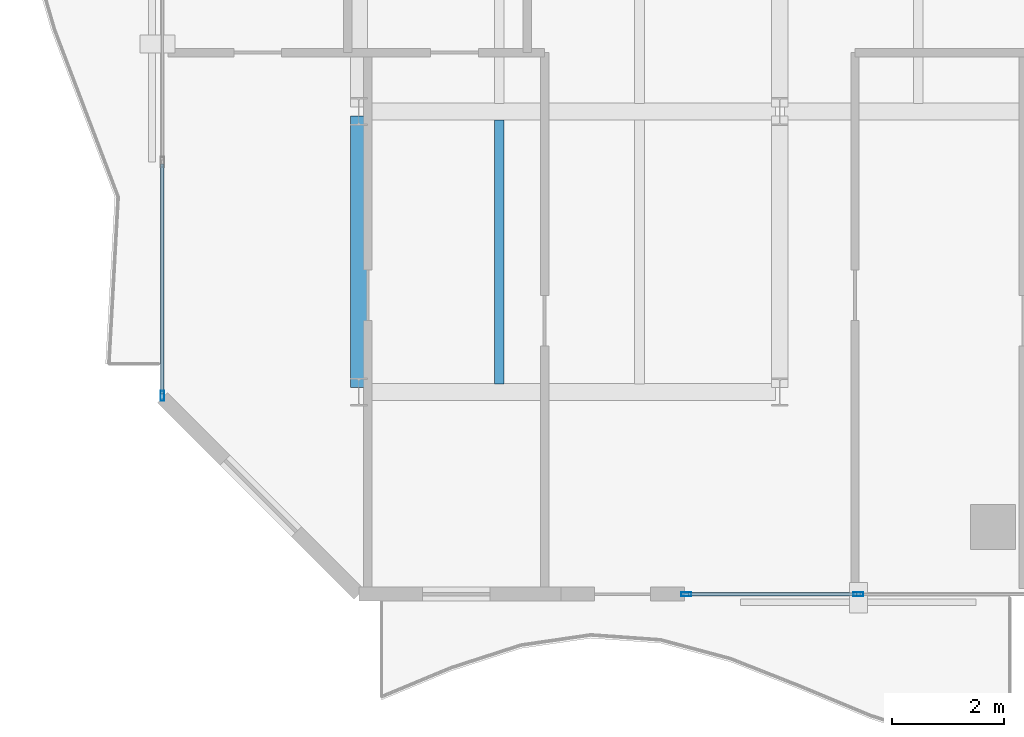
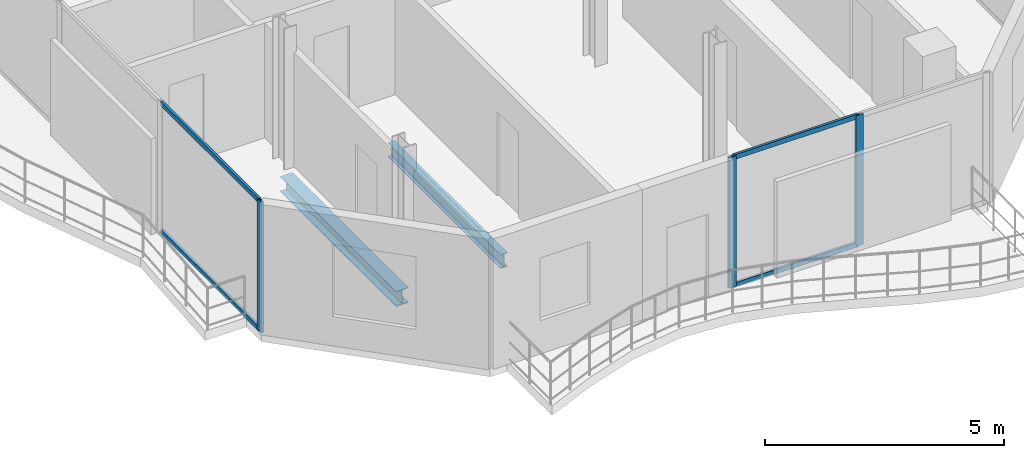
# One storey, part 3 of 24: 7 members, 2 beams, 2 elements without a shape of their own.
"""IFC4 building model written with IfcOpenShell, lengths in metres."""

import ifcopenshell
import ifcopenshell.guid

model = None  # the IFC model being written
_history = None  # IfcOwnerHistory: only IFC2X3 demands one
_inside = {}  # id of a spatial element -> (the spatial element, [elements in it])
_under = {}  # id of a project, library or spatial element -> (it, [spatial elements below it])
_declared = {}  # id of a project -> (the project, [libraries it declares])
_typed = {}  # id of a type object -> (the type object, [elements of that type])
_made_of = {}  # id of a material, layer set ... -> (it, [elements and type objects made of it])


def new_model(schema):
    """Start an empty IFC model of exactly this schema.

    Asked for "IFC4X3", IfcOpenShell would pick the latest addendum, in which some entities
    have other attributes; the version numbers below select the first issue.
    IFC2X3 requires an IfcOwnerHistory on every rooted entity: one is made here for all.
    """
    global model, _history
    if schema == "IFC4X3":
        model = ifcopenshell.file(schema_version=(4, 3, 0, 0))
    else:
        model = ifcopenshell.file(schema=schema)
    _inside.clear()
    _under.clear()
    _declared.clear()
    _typed.clear()
    _made_of.clear()
    _history = None
    if model.schema == "IFC2X3":
        org = make("IfcOrganization", Name="unknown")
        user = make(
            "IfcPersonAndOrganization",
            ThePerson=make("IfcPerson", FamilyName="unknown"),
            TheOrganization=org,
        )
        app = make(
            "IfcApplication",
            ApplicationDeveloper=org,
            Version="unknown",
            ApplicationFullName="unknown",
            ApplicationIdentifier="unknown",
        )
        _history = make(
            "IfcOwnerHistory",
            OwningUser=user,
            OwningApplication=app,
            ChangeAction="ADDED",
            CreationDate=0,
        )
    return model


def make(cls, **values):
    """One entity of the class cls with the attributes given. An attribute that is None is left unset."""
    return model.create_entity(
        cls, **{name: value for name, value in values.items() if value is not None}
    )


def rooted(cls, **values):
    """An entity with a GlobalId (a new one), such as an element, a storey or a relation."""
    return make(cls, GlobalId=ifcopenshell.guid.new(), OwnerHistory=_history, **values)


def si_unit(unit_type, name, prefix=None):
    """IfcSIUnit, for example si_unit("LENGTHUNIT", "METRE", prefix="MILLI")."""
    return make("IfcSIUnit", UnitType=unit_type, Prefix=prefix, Name=name)


def assignment(units):
    """IfcUnitAssignment: the units of a project."""
    return None if units is None else make("IfcUnitAssignment", Units=units)


def point(xyz):
    """IfcCartesianPoint."""
    return None if xyz is None else make("IfcCartesianPoint", Coordinates=xyz)


def direction(xyz):
    """IfcDirection."""
    return None if xyz is None else make("IfcDirection", DirectionRatios=xyz)


def frame(location, z_axis=None, x_axis=None):
    """IfcAxis2Placement3D, a coordinate frame: its origin and axes. An axis left out is left unset."""
    return make(
        "IfcAxis2Placement3D",
        Location=point(location),
        Axis=direction(z_axis),
        RefDirection=direction(x_axis),
    )


def frame_2d(location, x_axis=None):
    """IfcAxis2Placement2D, a coordinate frame in the plane: its origin and x axis."""
    return make(
        "IfcAxis2Placement2D", Location=point(location), RefDirection=direction(x_axis)
    )


def origin():
    """The frame at (0, 0, 0) with its axes left unset."""
    return frame((0.0, 0.0, 0.0))


def origin_2d():
    """The frame at (0, 0) in the plane with its x axis left unset."""
    return frame_2d((0.0, 0.0))


def place(relative_to, where):
    """IfcLocalPlacement: puts the frame where relative to a parent placement (None: the world)."""
    return make(
        "IfcLocalPlacement", PlacementRelTo=relative_to, RelativePlacement=where
    )


def context(
    kind, dimensions, precision=None, world=None, true_north=None, identifier=None
):
    """IfcGeometricRepresentationContext, for example the 3D "Model" context."""
    return make(
        "IfcGeometricRepresentationContext",
        ContextIdentifier=identifier,
        ContextType=kind,
        CoordinateSpaceDimension=dimensions,
        Precision=precision,
        WorldCoordinateSystem=world,
        TrueNorth=true_north,
    )


def subcontext(parent, identifier, kind, view, scale=None):
    """IfcGeometricRepresentationSubContext, for example "Body" below "Model"."""
    return make(
        "IfcGeometricRepresentationSubContext",
        ContextIdentifier=identifier,
        ContextType=kind,
        ParentContext=parent,
        TargetScale=scale,
        TargetView=view,
    )


def project(units=None, contexts=None):
    """IfcProject with its units and contexts."""
    return rooted(
        "IfcProject",
        Name="project",
        RepresentationContexts=contexts,
        UnitsInContext=assignment(units),
    )


def spatial(cls, under=None, at=None, **own):
    """A site, building, storey or space (cls), placed at a placement, below another one or the project."""
    s = rooted(cls, ObjectPlacement=at, **own)
    if under is not None:
        _under.setdefault(under.id(), (under, []))[1].append(s)
    return s


def profile(cls, at=None, kind="AREA", **sizes):
    """A parametric profile (cls). Its sizes go by their IFC names, for example OverallWidth=200.0."""
    return make(cls, ProfileType=kind, Position=at, **sizes)


def hollow_rectangle(**sizes):
    """IfcRectangleHollowProfileDef."""
    return profile("IfcRectangleHollowProfileDef", **sizes)


def i_section(**sizes):
    """IfcIShapeProfileDef."""
    return profile("IfcIShapeProfileDef", **sizes)


def extrude(swept, where, along, depth):
    """IfcExtrudedAreaSolid: the profile swept, set in the frame where, extruded along a direction by depth."""
    return make(
        "IfcExtrudedAreaSolid",
        SweptArea=swept,
        Position=where,
        ExtrudedDirection=direction(along),
        Depth=depth,
    )


def shape(context_of_items, identifier, shape_type, items):
    """IfcShapeRepresentation: the items that make up one representation, for example the "Body"."""
    return make(
        "IfcShapeRepresentation",
        ContextOfItems=context_of_items,
        RepresentationIdentifier=identifier,
        RepresentationType=shape_type,
        Items=items,
    )


def material(Name=None, Category=None):
    """IfcMaterial."""
    return make("IfcMaterial", Name=Name, Category=Category)


def layer(
    of_material, thickness, ventilated=None, Name=None, Category=None, Priority=None
):
    """IfcMaterialLayer: one layer of a wall or slab, of a material (None: an air gap)."""
    return make(
        "IfcMaterialLayer",
        Material=of_material,
        LayerThickness=thickness,
        IsVentilated=ventilated,
        Name=Name,
        Category=Category,
        Priority=Priority,
    )


def layer_set(layers, Name=None):
    """IfcMaterialLayerSet."""
    return make("IfcMaterialLayerSet", MaterialLayers=layers, LayerSetName=Name)


def material_profile(
    of_material, cross_section, Name=None, Category=None, Priority=None
):
    """IfcMaterialProfile: a cross section and its material."""
    return make(
        "IfcMaterialProfile",
        Name=Name,
        Material=of_material,
        Profile=cross_section,
        Priority=Priority,
        Category=Category,
    )


def profile_set(profiles, Name=None, composite=None):
    """IfcMaterialProfileSet."""
    return make(
        "IfcMaterialProfileSet",
        Name=Name,
        MaterialProfiles=profiles,
        CompositeProfile=composite,
    )


def made_of(thing, what):
    """Note that an element or type object is made of a material, layer set ...; save() writes the relation."""
    if what is not None:
        _made_of.setdefault(what.id(), (what, []))[1].append(thing)
    return thing


def type_object(cls, material=None, **own):
    """A type object (cls), such as IfcWallType, which elements share."""
    return made_of(rooted(cls, **own), material)


def element(
    cls,
    number,
    at=None,
    inside=None,
    cuts=None,
    type_object=None,
    material=None,
    context=None,
    identifier="Body",
    shape_type=None,
    held_by="IfcProductDefinitionShape",
    body=None,
    shapes=None,
    **own,
):
    """One element of the class cls, such as IfcWall. Its Tag is "e" and its number.

    at: its placement. inside: the storey or other place that contains it. cuts: it is an
    opening in that element (IfcRelVoidsElement). A single representation is given by context,
    identifier, shape_type and body (its items); several are given by shapes. held_by: the class
    of the entity that holds the representations. save() writes the other relations.
    """
    e = rooted(cls, Tag="e%d" % number, ObjectPlacement=at, **own)
    if body is not None:
        shapes = [shape(context, identifier, shape_type, body)]
    if shapes is not None:
        e.Representation = make(held_by, Representations=shapes)
    if inside is not None:
        _inside.setdefault(inside.id(), (inside, []))[1].append(e)
    if cuts is not None:
        rooted(
            "IfcRelVoidsElement", RelatingBuildingElement=cuts, RelatedOpeningElement=e
        )
    if type_object is not None:
        _typed.setdefault(type_object.id(), (type_object, []))[1].append(e)
    return made_of(e, material)


def aggregate(whole, parts):
    """IfcRelAggregates: a whole, such as a stair, and the parts it consists of."""
    return rooted("IfcRelAggregates", RelatingObject=whole, RelatedObjects=parts)


def save(model, path):
    """Write the relations noted so far, then the file.

    IfcRelAggregates (storeys below a building ...), IfcRelContainedInSpatialStructure (elements
    in a storey), IfcRelDefinesByType, IfcRelAssociatesMaterial and IfcRelDeclares: one each for
    every whole, place, type object, material and project.
    """
    for whole, parts in _under.values():
        aggregate(whole, parts)
    for where, things in _inside.values():
        rooted(
            "IfcRelContainedInSpatialStructure",
            RelatedElements=things,
            RelatingStructure=where,
        )
    for kind, things in _typed.values():
        rooted("IfcRelDefinesByType", RelatedObjects=things, RelatingType=kind)
    for what, things in _made_of.values():
        rooted("IfcRelAssociatesMaterial", RelatedObjects=things, RelatingMaterial=what)
    for by, libraries in _declared.values():
        rooted("IfcRelDeclares", RelatingContext=by, RelatedDefinitions=libraries)
    model.write(path)


model = new_model("IFC4")

# Units and contexts
model_context = context("Model", 3, precision=1e-05, world=origin(), true_north=direction((0.0, 1.0)))
body_context = subcontext(model_context, "Body", "Model", "MODEL_VIEW")
ifc_project = project(units=[si_unit("LENGTHUNIT", "METRE"), si_unit("AREAUNIT", "SQUARE_METRE"), si_unit("VOLUMEUNIT", "CUBIC_METRE"), si_unit("PLANEANGLEUNIT", "RADIAN"), si_unit("MASSUNIT", "GRAM", prefix="KILO")], contexts=[model_context])

# Site, building, storey
site_placement = place(None, origin())
site = spatial("IfcSite", under=ifc_project, at=site_placement, CompositionType="ELEMENT")
building_placement = place(site_placement, origin())
building = spatial("IfcBuilding", under=site, at=building_placement, Name="Catumbela Crestline Tower", CompositionType="ELEMENT")
storey_placement = place(building_placement, frame((0.0, 0.0, 161.4)))
storey = spatial("IfcBuildingStorey", under=building, at=storey_placement, Name="L41", CompositionType="ELEMENT", Elevation=161.4)

# Beams
ifc_material_1 = material(Name="Structural steel S355J2", Category="steel")
ifc_material_profile_1 = material_profile(ifc_material_1, i_section(OverallWidth=0.3, OverallDepth=0.39, WebThickness=0.011, FlangeThickness=0.019, FilletRadius=0.027, at=origin_2d()), Name="HEA 400")
ifc_profile_set_1 = profile_set([ifc_material_profile_1], Name="Structural steel S355J2")
beam_type_1 = type_object("IfcBeamType", Name="BG-HEA400", PredefinedType="BEAM", material=ifc_profile_set_1)
beam_1_placement = place(storey_placement, frame((8.5, 8.68, -0.455), z_axis=(0.0, 1.0, 0.0), x_axis=(-1.0, 0.0, 0.0)))
element("IfcBeam", 1, at=beam_1_placement, inside=storey, type_object=beam_type_1, Name="L41 Beam BM-L41-WNS37", PredefinedType="BEAM", context=body_context, shape_type="SweptSolid", body=[
    extrude(i_section(OverallWidth=0.3, OverallDepth=0.39, WebThickness=0.011, FlangeThickness=0.019, FilletRadius=0.027, at=origin_2d()), origin(), (0.0, 0.0, 1.0), 4.84),
])
ifc_material_profile_2 = material_profile(ifc_material_1, i_section(OverallWidth=0.17, OverallDepth=0.36, WebThickness=0.008, FlangeThickness=0.0127, FilletRadius=0.018, at=origin_2d()), Name="IPE 360")
ifc_profile_set_2 = profile_set([ifc_material_profile_2], Name="Structural steel S355J2")
beam_type_2 = type_object("IfcBeamType", Name="BJ-IPE360", PredefinedType="JOIST", material=ifc_profile_set_2)
beam_2_placement = place(storey_placement, frame((11.0, 8.747, -0.44), z_axis=(0.0, 1.0, 0.0), x_axis=(-1.0, 0.0, 0.0)))
element("IfcBeam", 2, at=beam_2_placement, inside=storey, type_object=beam_type_2, Name="L41 Joist JS-L41-WG44", PredefinedType="JOIST", context=body_context, shape_type="SweptSolid", body=[
    extrude(i_section(OverallWidth=0.17, OverallDepth=0.36, WebThickness=0.008, FlangeThickness=0.0127, FilletRadius=0.018, at=origin_2d()), origin(), (0.0, 0.0, 1.0), 4.706),
])

# Curtain wall, members
ifc_material_2 = material(Name="Aluminium alloy AW-6060-T66", Category="aluminium")
ifc_layer = layer(ifc_material_2, 0.18, Name="Aluminium alloy AW-6060-T66")
ifc_layer_set = layer_set([ifc_layer], Name="Aluminium alloy AW-6060-T66")
curtain_wall_type = type_object("IfcCurtainWallType", Name="CWU-Z3", PredefinedType="USERDEFINED", material=ifc_layer_set)
curtain_wall_1_placement = place(storey_placement, origin())
curtain_wall_1 = element("IfcCurtainWall", 3, at=curtain_wall_1_placement, inside=storey, type_object=curtain_wall_type, Name="L41 Unitised Curtain Wall CW-L41-E0S2", ObjectType="UNITISED", PredefinedType="USERDEFINED")
ifc_material_profile_3 = material_profile(ifc_material_2, hollow_rectangle(XDim=0.065, YDim=0.18, WallThickness=0.004, at=origin_2d()), Name="ALU 180x65x4")
ifc_profile_set_3 = profile_set([ifc_material_profile_3], Name="Aluminium alloy AW-6060-T66")
member_type_1 = type_object("IfcMemberType", Name="MUL-180X65", PredefinedType="MULLION", material=ifc_profile_set_3)
member_1_placement = place(storey_placement, frame((14.3325, 5.0, 0.0), z_axis=(0.0, 0.0, 1.0), x_axis=(0.0, 1.0, 0.0)))
member_1 = element("IfcMember", 4, at=member_1_placement, type_object=member_type_1, Name="CWU-Z3 mullion 1", PredefinedType="MULLION", context=body_context, shape_type="SweptSolid", body=[
    extrude(hollow_rectangle(XDim=0.065, YDim=0.18, WallThickness=0.004, at=origin_2d()), origin(), (0.0, 0.0, 1.0), 3.33),
])
member_2_placement = place(storey_placement, frame((17.4, 5.0, 0.0), z_axis=(0.0, 0.0, 1.0), x_axis=(0.0, 1.0, 0.0)))
member_2 = element("IfcMember", 5, at=member_2_placement, type_object=member_type_1, Name="CWU-Z3 mullion 2", PredefinedType="MULLION", context=body_context, shape_type="SweptSolid", body=[
    extrude(hollow_rectangle(XDim=0.065, YDim=0.18, WallThickness=0.004, at=origin_2d()), origin(), (0.0, 0.0, 1.0), 3.33),
])

# Curtain wall, member
curtain_wall_2_placement = place(storey_placement, origin())
curtain_wall_2 = element("IfcCurtainWall", 6, at=curtain_wall_2_placement, inside=storey, type_object=curtain_wall_type, Name="L41 Unitised Curtain Wall CW-L41-E9S2", ObjectType="UNITISED", PredefinedType="USERDEFINED")
member_3_placement = place(storey_placement, frame((5.0, 8.5325, 0.0), z_axis=(0.0, 0.0, 1.0), x_axis=(1.0, 0.0, 0.0)))
member_3 = element("IfcMember", 7, at=member_3_placement, type_object=member_type_1, Name="CWU-Z3 mullion 7", PredefinedType="MULLION", context=body_context, shape_type="SweptSolid", body=[
    extrude(hollow_rectangle(XDim=0.065, YDim=0.18, WallThickness=0.004, at=origin_2d()), origin(), (0.0, 0.0, 1.0), 3.33),
])

# Member
ifc_material_profile_4 = material_profile(ifc_material_2, hollow_rectangle(XDim=0.06, YDim=0.12, WallThickness=0.0035, at=origin_2d()), Name="ALU 120x60x3.5")
ifc_profile_set_4 = profile_set([ifc_material_profile_4], Name="Aluminium alloy AW-6060-T66")
member_type_2 = type_object("IfcMemberType", Name="TRN-120X60", PredefinedType="USERDEFINED", material=ifc_profile_set_4)
member_4_placement = place(storey_placement, frame((14.365, 5.0, 0.03), z_axis=(1.0, 0.0, 0.0), x_axis=(0.0, 1.0, 0.0)))
member_4 = element("IfcMember", 8, at=member_4_placement, type_object=member_type_2, Name="CWU-Z3 transom 1.1", ObjectType="TRANSOM", PredefinedType="USERDEFINED", context=body_context, shape_type="SweptSolid", body=[
    extrude(hollow_rectangle(XDim=0.06, YDim=0.12, WallThickness=0.0035, at=origin_2d()), origin(), (0.0, 0.0, 1.0), 3.0025),
])

member_5_placement = place(storey_placement, frame((14.365, 5.0, 3.3), z_axis=(1.0, 0.0, 0.0), x_axis=(0.0, 1.0, 0.0)))
member_5 = element("IfcMember", 9, at=member_5_placement, type_object=member_type_2, Name="CWU-Z3 transom 1.2", ObjectType="TRANSOM", PredefinedType="USERDEFINED", context=body_context, shape_type="SweptSolid", body=[
    extrude(hollow_rectangle(XDim=0.06, YDim=0.12, WallThickness=0.0035, at=origin_2d()), origin(), (0.0, 0.0, 1.0), 3.0025),
])

aggregate(curtain_wall_1, [member_1, member_2, member_4, member_5])

member_6_placement = place(storey_placement, frame((5.0, 12.6675, 0.03), z_axis=(0.0, -1.0, 0.0), x_axis=(1.0, 0.0, 0.0)))
member_6 = element("IfcMember", 10, at=member_6_placement, type_object=member_type_2, Name="CWU-Z3 transom 6.1", ObjectType="TRANSOM", PredefinedType="USERDEFINED", context=body_context, shape_type="SweptSolid", body=[
    extrude(hollow_rectangle(XDim=0.06, YDim=0.12, WallThickness=0.0035, at=origin_2d()), origin(), (0.0, 0.0, 1.0), 4.1025),
])

member_7_placement = place(storey_placement, frame((5.0, 12.6675, 3.3), z_axis=(0.0, -1.0, 0.0), x_axis=(1.0, 0.0, 0.0)))
member_7 = element("IfcMember", 11, at=member_7_placement, type_object=member_type_2, Name="CWU-Z3 transom 6.2", ObjectType="TRANSOM", PredefinedType="USERDEFINED", context=body_context, shape_type="SweptSolid", body=[
    extrude(hollow_rectangle(XDim=0.06, YDim=0.12, WallThickness=0.0035, at=origin_2d()), origin(), (0.0, 0.0, 1.0), 4.1025),
])

aggregate(curtain_wall_2, [member_3, member_6, member_7])

save(model, "model.ifc")
